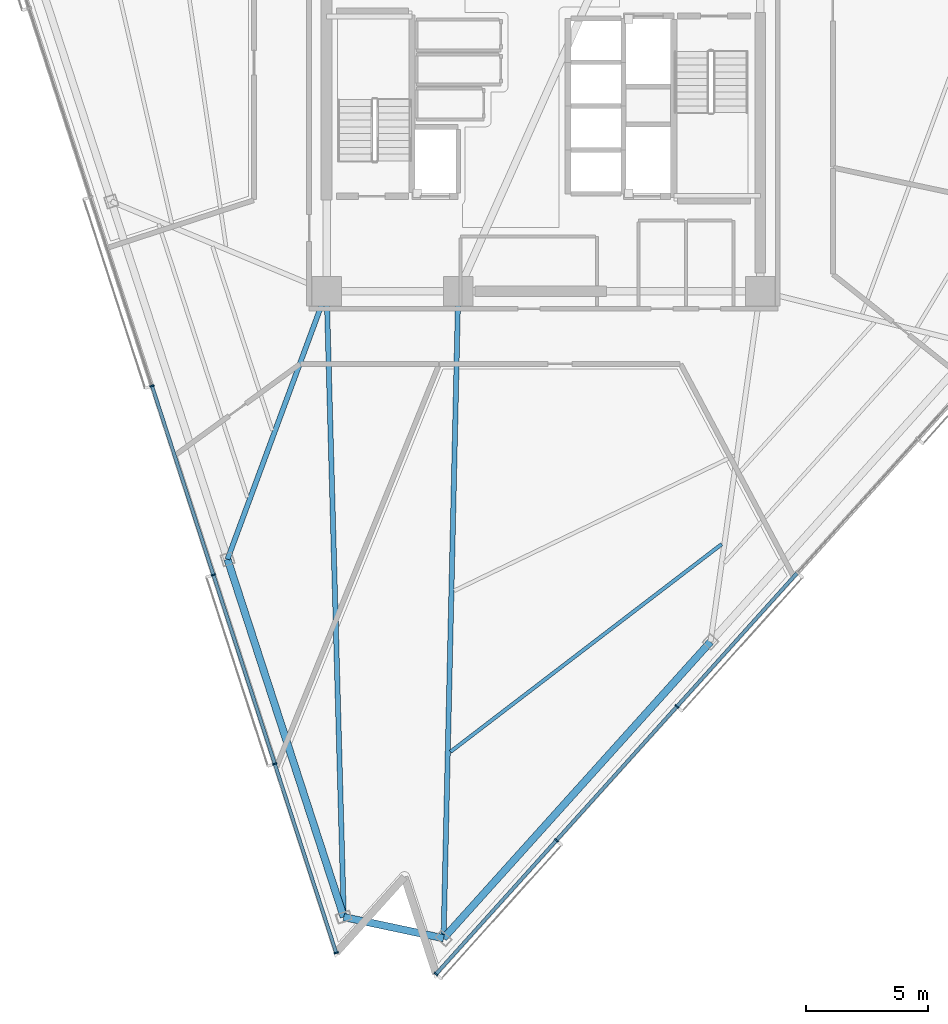
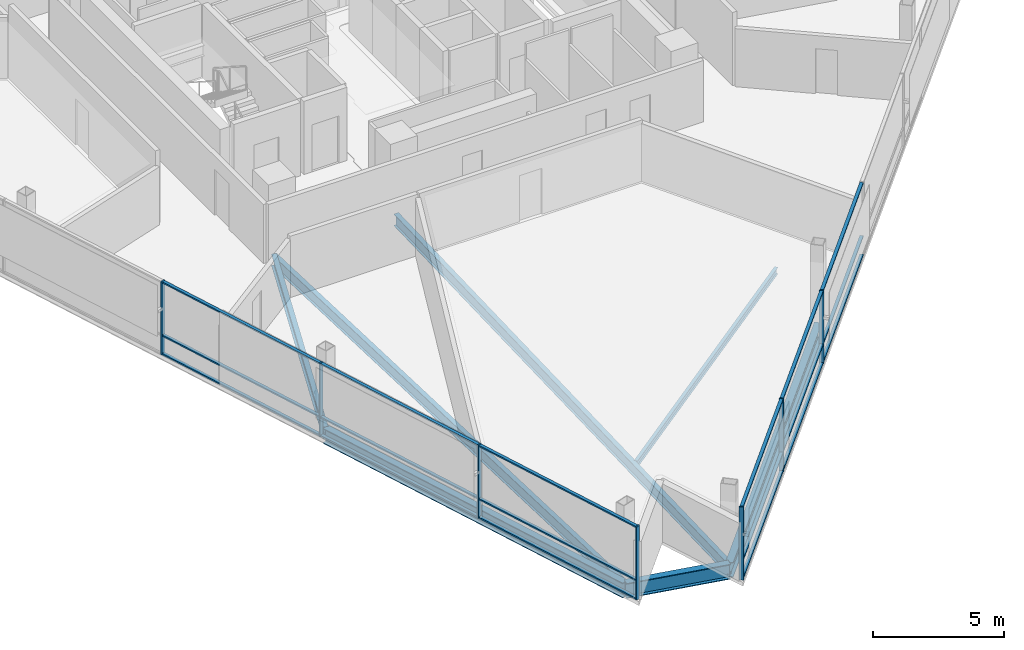
# One storey, part 2 of 17: 25 members, 7 beams, 2 elements without a shape of their own.
"""IFC4 building model written with IfcOpenShell, lengths in metres."""

from ifc_helpers import new_model, si_unit, direction, frame, origin, origin_2d, place, context, subcontext, project, spatial, rectangle, i_section, extrude, material, layer, layer_set, material_profile, profile_set, type_object, element, aggregate, save


model = new_model("IFC4")

# Units and contexts
model_context = context("Model", 3, precision=1e-05, world=origin(), true_north=direction((0.0, 1.0)))
body_context = subcontext(model_context, "Body", "Model", "MODEL_VIEW")
ifc_project = project(units=[si_unit("LENGTHUNIT", "METRE"), si_unit("AREAUNIT", "SQUARE_METRE"), si_unit("VOLUMEUNIT", "CUBIC_METRE"), si_unit("PLANEANGLEUNIT", "RADIAN"), si_unit("MASSUNIT", "GRAM", prefix="KILO")], contexts=[model_context])

# Site, building, storey
site_placement = place(None, origin())
site = spatial("IfcSite", under=ifc_project, at=site_placement, CompositionType="ELEMENT")
building_placement = place(site_placement, origin())
building = spatial("IfcBuilding", under=site, at=building_placement, Name="Tharavind Bronze Gate", CompositionType="ELEMENT")
storey_placement = place(building_placement, frame((0.0, 0.0, 207.64990234375)))
storey = spatial("IfcBuildingStorey", under=building, at=storey_placement, Name="L53", CompositionType="ELEMENT", Elevation=207.64990234375)

# Curtain wall, members
ifc_material_1 = material(Name="Anodised Bronze Aluminium", Category="aluminium")
ifc_layer = layer(ifc_material_1, 0.219970703125)
ifc_layer_set = layer_set([ifc_layer], Name="Anodised Bronze Aluminium")
curtain_wall_type = type_object("IfcCurtainWallType", Name="UNITISED CURTAIN WALL MID OFFICE", PredefinedType="USERDEFINED", material=ifc_layer_set)
curtain_wall_1_placement = place(storey_placement, origin())
curtain_wall_1 = element("IfcCurtainWall", 1, at=curtain_wall_1_placement, inside=storey, type_object=curtain_wall_type, Name="L53 unitised curtain wall mid office CW-L53-S1", ObjectType="UNITISED CURTAIN WALL", PredefinedType="USERDEFINED")
member_type_1 = type_object("IfcMemberType", Name="CURTAIN WALL BRONZE MULLION 65X180", PredefinedType="MULLION", material=ifc_material_1)
member_1_placement = place(storey_placement, frame((-16.0693359375, -11.489013671875, 0.000244140625), z_axis=(0.0, 0.0, 1.0), x_axis=(0.309016994375, -0.951056516295, 0.0)))
member_1 = element("IfcMember", 2, at=member_1_placement, type_object=member_type_1, Name="CW-L53-S1 mullion 4", PredefinedType="MULLION", context=body_context, shape_type="SweptSolid", body=[
    extrude(rectangle(XDim=0.06494140625, YDim=0.179931640625, at=origin_2d()), origin(), (0.0, 0.0, 1.0), 3.419921875),
])
member_2_placement = place(storey_placement, frame((-13.54931640625, -19.24560546875, 0.000244140625), z_axis=(0.0, 0.0, 1.0), x_axis=(0.309016994375, -0.951056516295, 0.0)))
member_2 = element("IfcMember", 3, at=member_2_placement, type_object=member_type_1, Name="CW-L53-S1 mullion 5", PredefinedType="MULLION", context=body_context, shape_type="SweptSolid", body=[
    extrude(rectangle(XDim=0.06494140625, YDim=0.179931640625, at=origin_2d()), origin(), (0.0, 0.0, 1.0), 3.419921875),
])
member_3_placement = place(storey_placement, frame((-11.029052734375, -27.002197265625, 0.000244140625), z_axis=(0.0, 0.0, 1.0), x_axis=(0.309016994375, -0.951056516295, 0.0)))
member_3 = element("IfcMember", 4, at=member_3_placement, type_object=member_type_1, Name="CW-L53-S1 mullion 6", PredefinedType="MULLION", context=body_context, shape_type="SweptSolid", body=[
    extrude(rectangle(XDim=0.06494140625, YDim=0.179931640625, at=origin_2d()), origin(), (0.0, 0.0, 1.0), 3.419921875),
])
member_4_placement = place(storey_placement, frame((-8.5087890625, -34.7587890625, 0.000244140625), z_axis=(0.0, 0.0, 1.0), x_axis=(0.309016994375, -0.951056516295, 0.0)))
member_4 = element("IfcMember", 5, at=member_4_placement, type_object=member_type_1, Name="CW-L53-S1 mullion 7", PredefinedType="MULLION", context=body_context, shape_type="SweptSolid", body=[
    extrude(rectangle(XDim=0.06494140625, YDim=0.179931640625, at=origin_2d()), origin(), (0.0, 0.0, 1.0), 3.419921875),
])

curtain_wall_2_placement = place(storey_placement, origin())
curtain_wall_2 = element("IfcCurtainWall", 6, at=curtain_wall_2_placement, inside=storey, type_object=curtain_wall_type, Name="L53 unitised curtain wall mid office CW-L53-S2", ObjectType="UNITISED CURTAIN WALL", PredefinedType="USERDEFINED")
member_5_placement = place(storey_placement, frame((-4.412109375, -35.62939453125, 0.000244140625), z_axis=(0.0, 0.0, 1.0), x_axis=(0.669130606359, 0.743144825477, 0.0)))
member_5 = element("IfcMember", 7, at=member_5_placement, type_object=member_type_1, Name="CW-L53-S2 mullion 1", PredefinedType="MULLION", context=body_context, shape_type="SweptSolid", body=[
    extrude(rectangle(XDim=0.06494140625, YDim=0.179931640625, at=origin_2d()), origin(), (0.0, 0.0, 1.0), 3.419921875),
])
member_6_placement = place(storey_placement, frame((0.5322265625, -30.13818359375, 0.000244140625), z_axis=(0.0, 0.0, 1.0), x_axis=(0.669130606359, 0.743144825477, 0.0)))
member_6 = element("IfcMember", 8, at=member_6_placement, type_object=member_type_1, Name="CW-L53-S2 mullion 2", PredefinedType="MULLION", context=body_context, shape_type="SweptSolid", body=[
    extrude(rectangle(XDim=0.06494140625, YDim=0.179931640625, at=origin_2d()), origin(), (0.0, 0.0, 1.0), 3.419921875),
])
member_7_placement = place(storey_placement, frame((5.476806640625, -24.646484375, 0.000244140625), z_axis=(0.0, 0.0, 1.0), x_axis=(0.669130606359, 0.743144825477, 0.0)))
member_7 = element("IfcMember", 9, at=member_7_placement, type_object=member_type_1, Name="CW-L53-S2 mullion 3", PredefinedType="MULLION", context=body_context, shape_type="SweptSolid", body=[
    extrude(rectangle(XDim=0.06494140625, YDim=0.179931640625, at=origin_2d()), origin(), (0.0, 0.0, 1.0), 3.419921875),
])

# Member
member_type_2 = type_object("IfcMemberType", Name="CURTAIN WALL BRONZE TRANSOM 65X140", PredefinedType="USERDEFINED", material=ifc_material_1)
member_8_placement = place(storey_placement, frame((-14.809326171875, -15.367431640625, 0.000244140625), z_axis=(0.0, 0.0, 1.0), x_axis=(0.309016994375, -0.951056516295, 0.0)))
member_8 = element("IfcMember", 10, at=member_8_placement, type_object=member_type_2, Name="CW-L53-S1 transom TB4", ObjectType="TRANSOM", PredefinedType="USERDEFINED", context=body_context, shape_type="SweptSolid", body=[
    extrude(rectangle(XDim=8.102783203125, YDim=0.139892578125, at=origin_2d()), origin(), (0.0, 0.0, 1.0), 0.06494140625),
])

member_9_placement = place(storey_placement, frame((-14.809326171875, -15.367431640625, 0.86767578125), z_axis=(0.0, 0.0, 1.0), x_axis=(0.309016994375, -0.951056516295, 0.0)))
member_9 = element("IfcMember", 11, at=member_9_placement, type_object=member_type_2, Name="CW-L53-S1 transom TS4", ObjectType="TRANSOM", PredefinedType="USERDEFINED", context=body_context, shape_type="SweptSolid", body=[
    extrude(rectangle(XDim=8.102783203125, YDim=0.139892578125, at=origin_2d()), origin(), (0.0, 0.0, 1.0), 0.06494140625),
])

member_10_placement = place(storey_placement, frame((-14.809326171875, -15.367431640625, 3.355224609375), z_axis=(0.0, 0.0, 1.0), x_axis=(0.309016994375, -0.951056516295, 0.0)))
member_10 = element("IfcMember", 12, at=member_10_placement, type_object=member_type_2, Name="CW-L53-S1 transom TT4", ObjectType="TRANSOM", PredefinedType="USERDEFINED", context=body_context, shape_type="SweptSolid", body=[
    extrude(rectangle(XDim=8.102783203125, YDim=0.139892578125, at=origin_2d()), origin(), (0.0, 0.0, 1.0), 0.06494140625),
])

member_11_placement = place(storey_placement, frame((-12.2890625, -23.123779296875, 0.000244140625), z_axis=(0.0, 0.0, 1.0), x_axis=(0.309016994375, -0.951056516295, 0.0)))
member_11 = element("IfcMember", 13, at=member_11_placement, type_object=member_type_2, Name="CW-L53-S1 transom TB5", ObjectType="TRANSOM", PredefinedType="USERDEFINED", context=body_context, shape_type="SweptSolid", body=[
    extrude(rectangle(XDim=8.102783203125, YDim=0.139892578125, at=origin_2d()), origin(), (0.0, 0.0, 1.0), 0.06494140625),
])

member_12_placement = place(storey_placement, frame((-12.2890625, -23.123779296875, 0.86767578125), z_axis=(0.0, 0.0, 1.0), x_axis=(0.309016994375, -0.951056516295, 0.0)))
member_12 = element("IfcMember", 14, at=member_12_placement, type_object=member_type_2, Name="CW-L53-S1 transom TS5", ObjectType="TRANSOM", PredefinedType="USERDEFINED", context=body_context, shape_type="SweptSolid", body=[
    extrude(rectangle(XDim=8.102783203125, YDim=0.139892578125, at=origin_2d()), origin(), (0.0, 0.0, 1.0), 0.06494140625),
])

member_13_placement = place(storey_placement, frame((-12.2890625, -23.123779296875, 3.355224609375), z_axis=(0.0, 0.0, 1.0), x_axis=(0.309016994375, -0.951056516295, 0.0)))
member_13 = element("IfcMember", 15, at=member_13_placement, type_object=member_type_2, Name="CW-L53-S1 transom TT5", ObjectType="TRANSOM", PredefinedType="USERDEFINED", context=body_context, shape_type="SweptSolid", body=[
    extrude(rectangle(XDim=8.102783203125, YDim=0.139892578125, at=origin_2d()), origin(), (0.0, 0.0, 1.0), 0.06494140625),
])

member_14_placement = place(storey_placement, frame((-9.768798828125, -30.88037109375, 0.000244140625), z_axis=(0.0, 0.0, 1.0), x_axis=(0.309016994375, -0.951056516295, 0.0)))
member_14 = element("IfcMember", 16, at=member_14_placement, type_object=member_type_2, Name="CW-L53-S1 transom TB6", ObjectType="TRANSOM", PredefinedType="USERDEFINED", context=body_context, shape_type="SweptSolid", body=[
    extrude(rectangle(XDim=8.102783203125, YDim=0.139892578125, at=origin_2d()), origin(), (0.0, 0.0, 1.0), 0.06494140625),
])

member_15_placement = place(storey_placement, frame((-9.768798828125, -30.88037109375, 0.86767578125), z_axis=(0.0, 0.0, 1.0), x_axis=(0.309016994375, -0.951056516295, 0.0)))
member_15 = element("IfcMember", 17, at=member_15_placement, type_object=member_type_2, Name="CW-L53-S1 transom TS6", ObjectType="TRANSOM", PredefinedType="USERDEFINED", context=body_context, shape_type="SweptSolid", body=[
    extrude(rectangle(XDim=8.102783203125, YDim=0.139892578125, at=origin_2d()), origin(), (0.0, 0.0, 1.0), 0.06494140625),
])

member_16_placement = place(storey_placement, frame((-9.768798828125, -30.88037109375, 3.355224609375), z_axis=(0.0, 0.0, 1.0), x_axis=(0.309016994375, -0.951056516295, 0.0)))
member_16 = element("IfcMember", 18, at=member_16_placement, type_object=member_type_2, Name="CW-L53-S1 transom TT6", ObjectType="TRANSOM", PredefinedType="USERDEFINED", context=body_context, shape_type="SweptSolid", body=[
    extrude(rectangle(XDim=8.102783203125, YDim=0.139892578125, at=origin_2d()), origin(), (0.0, 0.0, 1.0), 0.06494140625),
])

aggregate(curtain_wall_1, [member_1, member_2, member_3, member_4, member_8, member_9, member_10, member_11, member_12, member_13, member_14, member_15, member_16])

member_17_placement = place(storey_placement, frame((-1.93994140625, -32.8837890625, 0.000244140625), z_axis=(0.0, 0.0, 1.0), x_axis=(0.669130606359, 0.743144825477, 0.0)))
member_17 = element("IfcMember", 19, at=member_17_placement, type_object=member_type_2, Name="CW-L53-S2 transom TB1", ObjectType="TRANSOM", PredefinedType="USERDEFINED", context=body_context, shape_type="SweptSolid", body=[
    extrude(rectangle(XDim=7.33642578125, YDim=0.139892578125, at=origin_2d()), origin(), (0.0, 0.0, 1.0), 0.06494140625),
])

member_18_placement = place(storey_placement, frame((-1.93994140625, -32.8837890625, 0.86767578125), z_axis=(0.0, 0.0, 1.0), x_axis=(0.669130606359, 0.743144825477, 0.0)))
member_18 = element("IfcMember", 20, at=member_18_placement, type_object=member_type_2, Name="CW-L53-S2 transom TS1", ObjectType="TRANSOM", PredefinedType="USERDEFINED", context=body_context, shape_type="SweptSolid", body=[
    extrude(rectangle(XDim=7.33642578125, YDim=0.139892578125, at=origin_2d()), origin(), (0.0, 0.0, 1.0), 0.06494140625),
])

member_19_placement = place(storey_placement, frame((-1.93994140625, -32.8837890625, 3.355224609375), z_axis=(0.0, 0.0, 1.0), x_axis=(0.669130606359, 0.743144825477, 0.0)))
member_19 = element("IfcMember", 21, at=member_19_placement, type_object=member_type_2, Name="CW-L53-S2 transom TT1", ObjectType="TRANSOM", PredefinedType="USERDEFINED", context=body_context, shape_type="SweptSolid", body=[
    extrude(rectangle(XDim=7.33642578125, YDim=0.139892578125, at=origin_2d()), origin(), (0.0, 0.0, 1.0), 0.06494140625),
])

member_20_placement = place(storey_placement, frame((3.004638671875, -27.392333984375, 0.000244140625), z_axis=(0.0, 0.0, 1.0), x_axis=(0.669130606359, 0.743144825477, 0.0)))
member_20 = element("IfcMember", 22, at=member_20_placement, type_object=member_type_2, Name="CW-L53-S2 transom TB2", ObjectType="TRANSOM", PredefinedType="USERDEFINED", context=body_context, shape_type="SweptSolid", body=[
    extrude(rectangle(XDim=7.33642578125, YDim=0.139892578125, at=origin_2d()), origin(), (0.0, 0.0, 1.0), 0.06494140625),
])

member_21_placement = place(storey_placement, frame((3.004638671875, -27.392333984375, 0.86767578125), z_axis=(0.0, 0.0, 1.0), x_axis=(0.669130606359, 0.743144825477, 0.0)))
member_21 = element("IfcMember", 23, at=member_21_placement, type_object=member_type_2, Name="CW-L53-S2 transom TS2", ObjectType="TRANSOM", PredefinedType="USERDEFINED", context=body_context, shape_type="SweptSolid", body=[
    extrude(rectangle(XDim=7.33642578125, YDim=0.139892578125, at=origin_2d()), origin(), (0.0, 0.0, 1.0), 0.06494140625),
])

member_22_placement = place(storey_placement, frame((3.004638671875, -27.392333984375, 3.355224609375), z_axis=(0.0, 0.0, 1.0), x_axis=(0.669130606359, 0.743144825477, 0.0)))
member_22 = element("IfcMember", 24, at=member_22_placement, type_object=member_type_2, Name="CW-L53-S2 transom TT2", ObjectType="TRANSOM", PredefinedType="USERDEFINED", context=body_context, shape_type="SweptSolid", body=[
    extrude(rectangle(XDim=7.33642578125, YDim=0.139892578125, at=origin_2d()), origin(), (0.0, 0.0, 1.0), 0.06494140625),
])

member_23_placement = place(storey_placement, frame((7.94921875, -21.90087890625, 0.000244140625), z_axis=(0.0, 0.0, 1.0), x_axis=(0.669130606359, 0.743144825477, 0.0)))
member_23 = element("IfcMember", 25, at=member_23_placement, type_object=member_type_2, Name="CW-L53-S2 transom TB3", ObjectType="TRANSOM", PredefinedType="USERDEFINED", context=body_context, shape_type="SweptSolid", body=[
    extrude(rectangle(XDim=7.33642578125, YDim=0.139892578125, at=origin_2d()), origin(), (0.0, 0.0, 1.0), 0.06494140625),
])

member_24_placement = place(storey_placement, frame((7.94921875, -21.90087890625, 0.86767578125), z_axis=(0.0, 0.0, 1.0), x_axis=(0.669130606359, 0.743144825477, 0.0)))
member_24 = element("IfcMember", 26, at=member_24_placement, type_object=member_type_2, Name="CW-L53-S2 transom TS3", ObjectType="TRANSOM", PredefinedType="USERDEFINED", context=body_context, shape_type="SweptSolid", body=[
    extrude(rectangle(XDim=7.33642578125, YDim=0.139892578125, at=origin_2d()), origin(), (0.0, 0.0, 1.0), 0.06494140625),
])

member_25_placement = place(storey_placement, frame((7.94921875, -21.90087890625, 3.355224609375), z_axis=(0.0, 0.0, 1.0), x_axis=(0.669130606359, 0.743144825477, 0.0)))
member_25 = element("IfcMember", 27, at=member_25_placement, type_object=member_type_2, Name="CW-L53-S2 transom TT3", ObjectType="TRANSOM", PredefinedType="USERDEFINED", context=body_context, shape_type="SweptSolid", body=[
    extrude(rectangle(XDim=7.33642578125, YDim=0.139892578125, at=origin_2d()), origin(), (0.0, 0.0, 1.0), 0.06494140625),
])

aggregate(curtain_wall_2, [member_5, member_6, member_7, member_17, member_18, member_19, member_20, member_21, member_22, member_23, member_24, member_25])

# Beams
ifc_material_2 = material(Name="Steel S355", Category="steel")
ifc_material_profile_1 = material_profile(ifc_material_2, i_section(OverallWidth=0.2099609375, OverallDepth=0.550048828125, WebThickness=0.010986328125, FlangeThickness=0.01708984375, at=origin_2d()), Name="IPE550")
ifc_profile_set_1 = profile_set([ifc_material_profile_1], Name="Steel S355")
beam_type_1 = type_object("IfcBeamType", Name="PRIMARY GIRDER IPE550", PredefinedType="USERDEFINED", material=ifc_profile_set_1)
beam_1_placement = place(storey_placement, frame((-12.9697265625, -18.60205078125, -0.454833984375), z_axis=(0.34694151405, 0.937886765995, 0.0), x_axis=(-0.937886765995, 0.34694151405, 0.0)))
element("IfcBeam", 28, at=beam_1_placement, inside=storey, type_object=beam_type_1, Name="L53 primary girder ipe550 BM-L53-RAD03", ObjectType="GIRDER", PredefinedType="USERDEFINED", context=body_context, shape_type="SweptSolid", body=[
    extrude(i_section(OverallWidth=0.2099609375, OverallDepth=0.550048828125, WebThickness=0.010986328125, FlangeThickness=0.01708984375, at=origin_2d()), origin(), (0.0, 0.0, 1.0), 11.73046875),
])
beam_2_placement = place(storey_placement, frame((-8.197021484375, -33.29150390625, -0.454833984375), z_axis=(-0.027348365031, 0.999625963513, 0.0), x_axis=(-0.999625963513, -0.027348365031, 0.0)))
element("IfcBeam", 29, at=beam_2_placement, inside=storey, type_object=beam_type_1, Name="L53 primary girder ipe550 BM-L53-RAD04", ObjectType="GIRDER", PredefinedType="USERDEFINED", context=body_context, shape_type="SweptSolid", body=[
    extrude(i_section(OverallWidth=0.2099609375, OverallDepth=0.550048828125, WebThickness=0.010986328125, FlangeThickness=0.01708984375, at=origin_2d()), origin(), (0.0, 0.0, 1.0), 25.700927734375),
])
beam_3_placement = place(storey_placement, frame((-4.100341796875, -34.162353515625, -0.454833984375), z_axis=(0.022595540292, 0.999744688187, 0.0), x_axis=(-0.999744688187, 0.022595540292, 0.0)))
element("IfcBeam", 30, at=beam_3_placement, inside=storey, type_object=beam_type_1, Name="L53 primary girder ipe550 BM-L53-RAD05", ObjectType="GIRDER", PredefinedType="USERDEFINED", context=body_context, shape_type="SweptSolid", body=[
    extrude(i_section(OverallWidth=0.2099609375, OverallDepth=0.550048828125, WebThickness=0.010986328125, FlangeThickness=0.01708984375, at=origin_2d()), origin(), (0.0, 0.0, 1.0), 26.569091796875),
])
ifc_material_profile_2 = material_profile(ifc_material_2, i_section(OverallWidth=0.300048828125, OverallDepth=0.699951171875, WebThickness=0.01708984375, FlangeThickness=0.031982421875, at=origin_2d()), Name="HE700B")
ifc_profile_set_2 = profile_set([ifc_material_profile_2], Name="Steel S355")
beam_type_2 = type_object("IfcBeamType", Name="RING GIRDER HE700B", PredefinedType="USERDEFINED", material=ifc_profile_set_2)
beam_4_placement = place(storey_placement, frame((-12.9697265625, -18.60205078125, -0.52978515625), z_axis=(0.309006009957, -0.951060085279, 0.0), x_axis=(0.951060085279, 0.309006009957, 0.0)))
element("IfcBeam", 31, at=beam_4_placement, inside=storey, type_object=beam_type_2, Name="L53 ring girder he700b BM-L53-PRG03", ObjectType="GIRDER", PredefinedType="USERDEFINED", context=body_context, shape_type="SweptSolid", body=[
    extrude(i_section(OverallWidth=0.300048828125, OverallDepth=0.699951171875, WebThickness=0.01708984375, FlangeThickness=0.031982421875, at=origin_2d()), origin(), (0.0, 0.0, 1.0), 15.4453125),
])
beam_5_placement = place(storey_placement, frame((-8.197021484375, -33.29150390625, -0.52978515625), z_axis=(0.978144033538, -0.207928472445, 0.0), x_axis=(0.207928472445, 0.978144033538, 0.0)))
element("IfcBeam", 32, at=beam_5_placement, inside=storey, type_object=beam_type_2, Name="L53 ring girder he700b BM-L53-PRG04", ObjectType="GIRDER", PredefinedType="USERDEFINED", context=body_context, shape_type="SweptSolid", body=[
    extrude(i_section(OverallWidth=0.300048828125, OverallDepth=0.699951171875, WebThickness=0.01708984375, FlangeThickness=0.031982421875, at=origin_2d()), origin(), (0.0, 0.0, 1.0), 4.188232421875),
])
beam_6_placement = place(storey_placement, frame((-4.100341796875, -34.162353515625, -0.52978515625), z_axis=(0.669127800443, 0.743147351926, 0.0), x_axis=(-0.743147351926, 0.669127800443, 0.0)))
element("IfcBeam", 33, at=beam_6_placement, inside=storey, type_object=beam_type_2, Name="L53 ring girder he700b BM-L53-PRG05", ObjectType="GIRDER", PredefinedType="USERDEFINED", context=body_context, shape_type="SweptSolid", body=[
    extrude(i_section(OverallWidth=0.300048828125, OverallDepth=0.699951171875, WebThickness=0.01708984375, FlangeThickness=0.031982421875, at=origin_2d()), origin(), (0.0, 0.0, 1.0), 16.376220703125),
])
ifc_material_profile_3 = material_profile(ifc_material_2, i_section(OverallWidth=0.14990234375, OverallDepth=0.300048828125, WebThickness=0.007080078125, FlangeThickness=0.0107421875, at=origin_2d()), Name="IPE300")
ifc_profile_set_3 = profile_set([ifc_material_profile_3], Name="Steel S355")
beam_type_3 = type_object("IfcBeamType", Name="SECONDARY FLOOR JOIST IPE300", PredefinedType="JOIST", material=ifc_profile_set_3)
beam_7_placement = place(storey_placement, frame((-3.819091796875, -26.5078125, -0.329833984375), z_axis=(0.794097846092, 0.607789939726, 0.0), x_axis=(-0.607789939726, 0.794097846092, 0.0)))
element("IfcBeam", 34, at=beam_7_placement, inside=storey, type_object=beam_type_3, Name="L53 secondary floor joist ipe300 BM-L53-JSTB05", PredefinedType="JOIST", context=body_context, shape_type="SweptSolid", body=[
    extrude(i_section(OverallWidth=0.14990234375, OverallDepth=0.300048828125, WebThickness=0.007080078125, FlangeThickness=0.0107421875, at=origin_2d()), origin(), (0.0, 0.0, 1.0), 14.024169921875),
])

save(model, "model.ifc")
